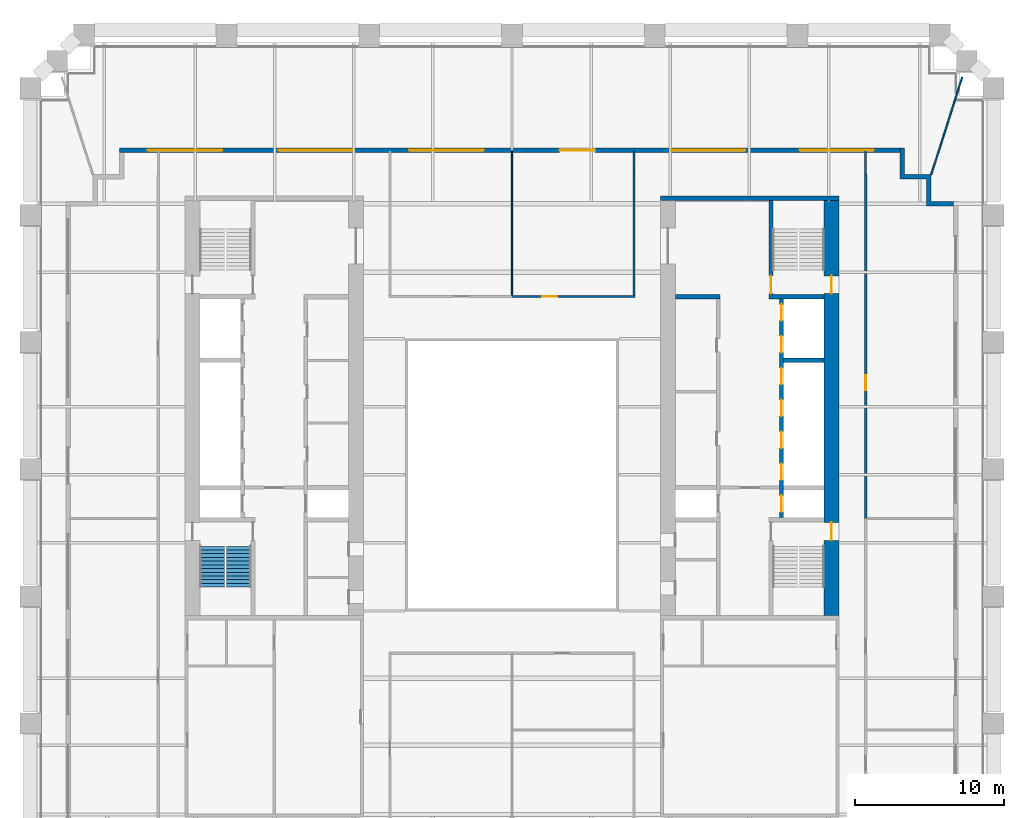
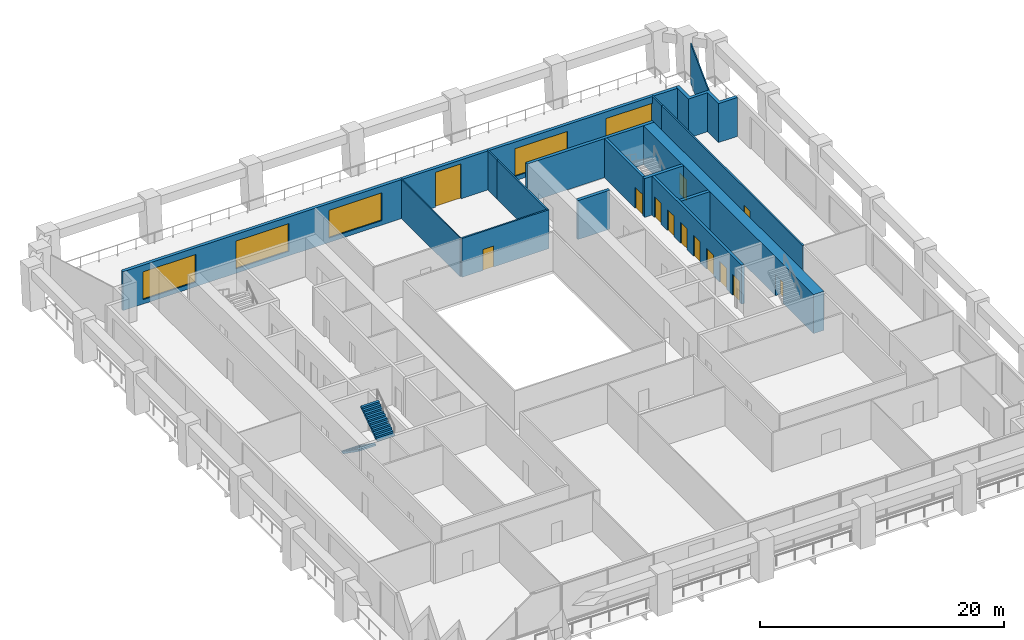
# One storey, part 9 of 11: 16 walls, 13 doors, 5 windows, 2 stair flights, 18 openings, 1 element without a shape of its own.
"""IFC4 building model written with IfcOpenShell, lengths in metres."""

from ifc_helpers import new_model, si_unit, direction, frame, frame_2d, origin, place, context, subcontext, project, spatial, polyline, rectangle, outline, extrude, material, layer, layer_set, type_object, element, fill, aggregate, save


model = new_model("IFC4")

# Units and contexts
model_context = context("Model", 3, precision=1e-05, world=origin(), true_north=direction((0.0, 1.0)))
body_context = subcontext(model_context, "Body", "Model", "MODEL_VIEW")
ifc_project = project(units=[si_unit("LENGTHUNIT", "METRE"), si_unit("AREAUNIT", "SQUARE_METRE"), si_unit("VOLUMEUNIT", "CUBIC_METRE"), si_unit("PLANEANGLEUNIT", "RADIAN"), si_unit("MASSUNIT", "GRAM", prefix="KILO")], contexts=[model_context])

# Site, building, storey
site_placement = place(None, origin())
site = spatial("IfcSite", under=ifc_project, at=site_placement, CompositionType="ELEMENT")
building_placement = place(site_placement, origin())
building = spatial("IfcBuilding", under=site, at=building_placement, Name="Ogive Exchange Tower", CompositionType="ELEMENT")
storey_placement = place(building_placement, frame((0.0, 0.0, 90.0)))
storey = spatial("IfcBuildingStorey", under=building, at=storey_placement, Name="L19", CompositionType="ELEMENT", Elevation=90.0)

# Wall
ifc_material_1 = material(Name="Gypsum board partition")
ifc_layer_1 = layer(ifc_material_1, 0.300048828125)
ifc_layer_set_1 = layer_set([ifc_layer_1], Name="Core room partition 300 gypsum")
wall_type_1 = type_object("IfcWallType", Name="Core room partition 300 gypsum", PredefinedType="PARTITIONING", material=ifc_layer_set_1)
wall_1_placement = place(storey_placement, frame((11.0, 19.0, 0.0), z_axis=(0.0, 0.0, 1.0), x_axis=(1.0, 0.0, 0.0)))
element("IfcWall", 1, at=wall_1_placement, inside=storey, type_object=wall_type_1, Name="E row B room end wall 7", PredefinedType="PARTITIONING", context=body_context, shape_type="SweptSolid", body=[
    extrude(rectangle(XDim=3.0, YDim=0.300048828125, at=frame_2d((1.5, 0.0))), origin(), (0.0, 0.0, 1.0), 3.89990234375),
])

# Wall, opening, door
ifc_material_2 = material(Name="Fire partition EI 60 150")
ifc_layer_2 = layer(ifc_material_2, 0.14990234375)
ifc_layer_set_2 = layer_set([ifc_layer_2], Name="Fire partition EI 60 150")
wall_type_2 = type_object("IfcWallType", Name="Fire partition EI 60 150", PredefinedType="PARTITIONING", material=ifc_layer_set_2)
wall_2_placement = place(storey_placement, frame((0.050048828125, 19.0, 0.0), z_axis=(0.0, 0.0, 1.0), x_axis=(1.0, 0.0, 0.0)))
wall_2 = element("IfcWall", 2, at=wall_2_placement, inside=storey, type_object=wall_type_2, Name="L19-PWL-019", PredefinedType="PARTITIONING", context=body_context, shape_type="SweptSolid", body=[
    extrude(rectangle(XDim=8.224853515625, YDim=0.14990234375, at=frame_2d((4.1123046875, 0.0))), origin(), (0.0, 0.0, 1.0), 3.89990234375),
])
opening_1_placement = place(wall_2_placement, frame((2.0, 0.0, 0.0)))
opening_1 = element("IfcOpeningElement", 3, at=opening_1_placement, cuts=wall_2, Name="Opening L19-I08", PredefinedType="OPENING", context=body_context, shape_type="SweptSolid", body=[
    extrude(rectangle(XDim=1.0, YDim=2.10009765625, at=frame_2d((0.5, 1.050048828125))), frame((0.0, 0.0849609375, 0.0), z_axis=(0.0, -1.0, 0.0), x_axis=(1.0, 0.0, 0.0)), (0.0, 0.0, 1.0), 0.169921875),
])
ifc_material_3 = material(Name="Fire door FD 30S 1000 x 2100")
door_type_1 = type_object("IfcDoorType", Name="Fire door FD 30S 1000 x 2100", OperationType="NOTDEFINED", PredefinedType="DOOR", material=ifc_material_3)
door_1_placement = place(opening_1_placement, origin())
door_1 = element("IfcDoor", 4, at=door_1_placement, inside=storey, type_object=door_type_1, Name="L19-IDR-008", ObjectType="DT3", OperationType="SINGLE_SWING_RIGHT", OverallHeight=2.10009765625, OverallWidth=1.0, PredefinedType="DOOR", context=body_context, shape_type="SweptSolid", body=[
    extrude(rectangle(XDim=1.0, YDim=2.10009765625, at=frame_2d((0.5, 1.050048828125))), frame((0.0, 0.02490234375, 0.0), z_axis=(0.0, -1.0, 0.0), x_axis=(1.0, 0.0, 0.0)), (0.0, 0.0, 1.0), 0.050048828125),
])
fill(opening_1, door_1)

# Walls
wall_3_placement = place(storey_placement, frame((8.199951171875, 19.074951171875, 0.0), z_axis=(0.0, 0.0, 1.0), x_axis=(0.0, 1.0, 0.0)))
element("IfcWall", 5, at=wall_3_placement, inside=storey, type_object=wall_type_2, Name="L19-PWL-025", PredefinedType="PARTITIONING", context=body_context, shape_type="SweptSolid", body=[
    extrude(rectangle(XDim=8.125, YDim=0.14990234375, at=frame_2d((4.0625, 0.0))), origin(), (0.0, 0.0, 1.0), 3.89990234375),
])
for number, where, z_axis, x_axis, name in (
    (6, (8.2099609375, 27.199951171875, 0.0), (0.0, 0.0, 1.0), (0.0, 1.0, 0.0), "L19-PWL-026"),
    (7, (23.7900390625, 28.800048828125, 0.0), (0.0, 0.0, 1.0), (0.0, -1.0, 0.0), "L19-PWL-029"),
):
    element("IfcWall", number, at=place(storey_placement, frame(where, z_axis=z_axis, x_axis=x_axis)), inside=storey, type_object=wall_type_2, Name=name, PredefinedType="PARTITIONING", context=body_context, shape_type="SweptSolid", body=[
        extrude(rectangle(XDim=1.60009765625, YDim=0.14990234375, at=frame_2d((0.800048828125, 0.0))), origin(), (0.0, 0.0, 1.0), 3.89990234375),
    ])

# Wall, opening, door
wall_4_placement = place(storey_placement, frame((23.800048828125, 27.199951171875, 0.0), z_axis=(0.0, 0.0, 1.0), x_axis=(0.0, -1.0, 0.0)))
wall_4 = element("IfcWall", 8, at=wall_4_placement, inside=storey, type_object=wall_type_2, Name="L19-PWL-037", PredefinedType="PARTITIONING", context=body_context, shape_type="SweptSolid", body=[
    extrude(rectangle(XDim=23.139892578125, YDim=0.14990234375, at=frame_2d((11.56982421875, 0.0))), origin(), (0.0, 0.0, 1.0), 3.89990234375),
])
opening_2_placement = place(wall_4_placement, frame((13.489990234375, 0.0, 0.0)))
opening_2 = element("IfcOpeningElement", 9, at=opening_2_placement, cuts=wall_4, Name="Opening L19-I10", PredefinedType="OPENING", context=body_context, shape_type="SweptSolid", body=[
    extrude(rectangle(XDim=1.0, YDim=2.10009765625, at=frame_2d((0.5, 1.050048828125))), frame((0.0, 0.0849609375, 0.0), z_axis=(0.0, -1.0, 0.0), x_axis=(1.0, 0.0, 0.0)), (0.0, 0.0, 1.0), 0.169921875),
])
door_2_placement = place(opening_2_placement, origin())
door_2 = element("IfcDoor", 10, at=door_2_placement, inside=storey, type_object=door_type_1, Name="L19-IDR-010", ObjectType="DT3", OperationType="SINGLE_SWING_RIGHT", OverallHeight=2.10009765625, OverallWidth=1.0, PredefinedType="DOOR", context=body_context, shape_type="SweptSolid", body=[
    extrude(rectangle(XDim=1.0, YDim=2.10009765625, at=frame_2d((0.5, 1.050048828125))), frame((0.0, 0.02490234375, 0.0), z_axis=(0.0, -1.0, 0.0), x_axis=(1.0, 0.0, 0.0)), (0.0, 0.0, 1.0), 0.050048828125),
])
fill(opening_2, door_2)

# Wall, openings, windows, door
ifc_material_4 = material(Name="Precast concrete C40/50", Category="concrete")
ifc_layer_3 = layer(ifc_material_4, 0.300048828125)
ifc_layer_set_3 = layer_set([ifc_layer_3], Name="Limestone-faced wall 300")
wall_type_3 = type_object("IfcWallType", Name="Limestone-faced wall 300", PredefinedType="STANDARD", material=ifc_layer_set_3)
wall_5_placement = place(storey_placement, frame((26.10009765625, 28.85009765625, 0.0), z_axis=(0.0, 0.0, 1.0), x_axis=(-1.0, 0.0, 0.0)))
wall_5 = element("IfcWall", 11, at=wall_5_placement, inside=storey, type_object=wall_type_3, Name="External wall N3", PredefinedType="STANDARD", context=body_context, shape_type="SweptSolid", body=[
    extrude(rectangle(XDim=52.5, YDim=0.300048828125, at=frame_2d((26.25, 0.0))), origin(), (0.0, 0.0, 1.0), 3.89990234375),
])
opening_3_placement = place(wall_5_placement, frame((1.75, 0.0, 0.449951171875)))
opening_3 = element("IfcOpeningElement", 12, at=opening_3_placement, cuts=wall_5, Name="Opening W2E", PredefinedType="OPENING", context=body_context, shape_type="SweptSolid", body=[
    extrude(rectangle(XDim=5.0, YDim=2.77490234375, at=frame_2d((2.5, 1.387451171875))), frame((0.0, 0.159912109375, 0.0), z_axis=(0.0, -1.0, 0.0), x_axis=(1.0, 0.0, 0.0)), (0.0, 0.0, 1.0), 0.320068359375),
])
opening_4_placement = place(wall_5_placement, frame((10.39990234375, 0.0, 0.449951171875)))
opening_4 = element("IfcOpeningElement", 13, at=opening_4_placement, cuts=wall_5, Name="Opening W2E", PredefinedType="OPENING", context=body_context, shape_type="SweptSolid", body=[
    extrude(rectangle(XDim=5.0, YDim=2.77490234375, at=frame_2d((2.5, 1.387451171875))), frame((0.0, 0.159912109375, 0.0), z_axis=(0.0, -1.0, 0.0), x_axis=(1.0, 0.0, 0.0)), (0.0, 0.0, 1.0), 0.320068359375),
])
opening_5_placement = place(wall_5_placement, frame((20.5, 0.0, 0.0)))
opening_5 = element("IfcOpeningElement", 14, at=opening_5_placement, cuts=wall_5, Name="Opening D1", PredefinedType="OPENING", context=body_context, shape_type="SweptSolid", body=[
    extrude(rectangle(XDim=2.39990234375, YDim=3.5, at=frame_2d((1.199951171875, 1.75))), frame((0.0, 0.159912109375, 0.0), z_axis=(0.0, -1.0, 0.0), x_axis=(1.0, 0.0, 0.0)), (0.0, 0.0, 1.0), 0.320068359375),
])
opening_6_placement = place(wall_5_placement, frame((28.0, 0.0, 0.449951171875)))
opening_6 = element("IfcOpeningElement", 15, at=opening_6_placement, cuts=wall_5, Name="Opening W2E", PredefinedType="OPENING", context=body_context, shape_type="SweptSolid", body=[
    extrude(rectangle(XDim=5.0, YDim=2.77490234375, at=frame_2d((2.5, 1.387451171875))), frame((0.0, 0.159912109375, 0.0), z_axis=(0.0, -1.0, 0.0), x_axis=(1.0, 0.0, 0.0)), (0.0, 0.0, 1.0), 0.320068359375),
])
opening_7_placement = place(wall_5_placement, frame((36.800048828125, 0.0, 0.449951171875)))
opening_7 = element("IfcOpeningElement", 16, at=opening_7_placement, cuts=wall_5, Name="Opening W2E", PredefinedType="OPENING", context=body_context, shape_type="SweptSolid", body=[
    extrude(rectangle(XDim=5.0, YDim=2.77490234375, at=frame_2d((2.5, 1.387451171875))), frame((0.0, 0.159912109375, 0.0), z_axis=(0.0, -1.0, 0.0), x_axis=(1.0, 0.0, 0.0)), (0.0, 0.0, 1.0), 0.320068359375),
])
opening_8_placement = place(wall_5_placement, frame((45.60009765625, 0.0, 0.449951171875)))
opening_8 = element("IfcOpeningElement", 17, at=opening_8_placement, cuts=wall_5, Name="Opening W2E", PredefinedType="OPENING", context=body_context, shape_type="SweptSolid", body=[
    extrude(rectangle(XDim=5.0, YDim=2.77490234375, at=frame_2d((2.5, 1.387451171875))), frame((0.0, 0.159912109375, 0.0), z_axis=(0.0, -1.0, 0.0), x_axis=(1.0, 0.0, 0.0)), (0.0, 0.0, 1.0), 0.320068359375),
])
ifc_material_5 = material(Name="Clear glass in bronze frame", Category="glass")
window_type = type_object("IfcWindowType", Name="Executive lancet window 5000 x 2775", PartitioningType="DOUBLE_PANEL_VERTICAL", PredefinedType="WINDOW", material=ifc_material_5)
window_1_placement = place(opening_3_placement, origin())
window_1 = element("IfcWindow", 18, at=window_1_placement, inside=storey, type_object=window_type, Name="Window N00", OverallHeight=2.77490234375, OverallWidth=5.0, PartitioningType="DOUBLE_PANEL_VERTICAL", PredefinedType="WINDOW", context=body_context, shape_type="SweptSolid", body=[
    extrude(rectangle(XDim=5.0, YDim=2.77490234375, at=frame_2d((2.5, 1.387451171875))), frame((0.0, 0.030029296875, 0.0), z_axis=(0.0, -1.0, 0.0), x_axis=(1.0, 0.0, 0.0)), (0.0, 0.0, 1.0), 0.06005859375),
])
fill(opening_3, window_1)
window_2_placement = place(opening_4_placement, origin())
window_2 = element("IfcWindow", 19, at=window_2_placement, inside=storey, type_object=window_type, Name="Window N01", OverallHeight=2.77490234375, OverallWidth=5.0, PartitioningType="DOUBLE_PANEL_VERTICAL", PredefinedType="WINDOW", context=body_context, shape_type="SweptSolid", body=[
    extrude(rectangle(XDim=5.0, YDim=2.77490234375, at=frame_2d((2.5, 1.387451171875))), frame((0.0, 0.030029296875, 0.0), z_axis=(0.0, -1.0, 0.0), x_axis=(1.0, 0.0, 0.0)), (0.0, 0.0, 1.0), 0.06005859375),
])
fill(opening_4, window_2)
window_3_placement = place(opening_6_placement, origin())
window_3 = element("IfcWindow", 20, at=window_3_placement, inside=storey, type_object=window_type, Name="Window N03", OverallHeight=2.77490234375, OverallWidth=5.0, PartitioningType="DOUBLE_PANEL_VERTICAL", PredefinedType="WINDOW", context=body_context, shape_type="SweptSolid", body=[
    extrude(rectangle(XDim=5.0, YDim=2.77490234375, at=frame_2d((2.5, 1.387451171875))), frame((0.0, 0.030029296875, 0.0), z_axis=(0.0, -1.0, 0.0), x_axis=(1.0, 0.0, 0.0)), (0.0, 0.0, 1.0), 0.06005859375),
])
fill(opening_6, window_3)
window_4_placement = place(opening_7_placement, origin())
window_4 = element("IfcWindow", 21, at=window_4_placement, inside=storey, type_object=window_type, Name="Window N04", OverallHeight=2.77490234375, OverallWidth=5.0, PartitioningType="DOUBLE_PANEL_VERTICAL", PredefinedType="WINDOW", context=body_context, shape_type="SweptSolid", body=[
    extrude(rectangle(XDim=5.0, YDim=2.77490234375, at=frame_2d((2.5, 1.387451171875))), frame((0.0, 0.030029296875, 0.0), z_axis=(0.0, -1.0, 0.0), x_axis=(1.0, 0.0, 0.0)), (0.0, 0.0, 1.0), 0.06005859375),
])
fill(opening_7, window_4)
window_5_placement = place(opening_8_placement, origin())
window_5 = element("IfcWindow", 22, at=window_5_placement, inside=storey, type_object=window_type, Name="Window N05", OverallHeight=2.77490234375, OverallWidth=5.0, PartitioningType="DOUBLE_PANEL_VERTICAL", PredefinedType="WINDOW", context=body_context, shape_type="SweptSolid", body=[
    extrude(rectangle(XDim=5.0, YDim=2.77490234375, at=frame_2d((2.5, 1.387451171875))), frame((0.0, 0.030029296875, 0.0), z_axis=(0.0, -1.0, 0.0), x_axis=(1.0, 0.0, 0.0)), (0.0, 0.0, 1.0), 0.06005859375),
])
fill(opening_8, window_5)
door_type_2 = type_object("IfcDoorType", Name="Sliding loggia door 2400 x 3500", OperationType="DOUBLE_DOOR_SLIDING", PredefinedType="DOOR", material=ifc_material_5)
door_3_placement = place(opening_5_placement, origin())
door_3 = element("IfcDoor", 23, at=door_3_placement, inside=storey, type_object=door_type_2, Name="Loggia door N02", OperationType="DOUBLE_DOOR_SLIDING", OverallHeight=3.5, OverallWidth=2.39990234375, PredefinedType="DOOR", context=body_context, shape_type="SweptSolid", body=[
    extrude(rectangle(XDim=2.39990234375, YDim=3.5, at=frame_2d((1.199951171875, 1.75))), frame((0.0, 0.02490234375, 0.0), z_axis=(0.0, -1.0, 0.0), x_axis=(1.0, 0.0, 0.0)), (0.0, 0.0, 1.0), 0.050048828125),
])
fill(opening_5, door_3)

# Walls
wall_6_placement = place(storey_placement, origin())
element("IfcWall", 24, at=wall_6_placement, inside=storey, type_object=wall_type_3, Name="External corner wall C2", PredefinedType="STANDARD", context=body_context, shape_type="SweptSolid", body=[
    extrude(outline(polyline([(27.89990234375, 26.89990234375), (26.10009765625, 26.89990234375), (26.10009765625, 29.0), (26.39990234375, 29.0), (26.39990234375, 27.199951171875), (28.199951171875, 27.199951171875), (28.199951171875, 25.39990234375), (29.699951171875, 25.39990234375), (29.699951171875, 25.10009765625), (27.89990234375, 25.10009765625), (27.89990234375, 26.89990234375)])), origin(), (0.0, 0.0, 1.0), 3.89990234375),
])
ifc_material_6 = material(Name="Laminated safety glass in steel frame", Category="steel")
ifc_layer_4 = layer(ifc_material_6, 0.10009765625)
ifc_layer_set_4 = layer_set([ifc_layer_4], Name="Loggia end screen 100")
wall_type_4 = type_object("IfcWallType", Name="Loggia end screen 100", PredefinedType="STANDARD", material=ifc_layer_set_4)
wall_7_placement = place(storey_placement, frame((28.199951171875, 27.199951171875, -0.050048828125), z_axis=(0.0, 0.0, 1.0), x_axis=(0.303785653439, 0.952740403659, 0.0)))
element("IfcWall", 25, at=wall_7_placement, inside=storey, type_object=wall_type_4, Name="Loggia end screen C2", PredefinedType="STANDARD", context=body_context, shape_type="SweptSolid", body=[
    extrude(rectangle(XDim=6.890625, YDim=0.10009765625, at=frame_2d((3.4453125, 0.0))), origin(), (0.0, 0.0, 1.0), 3.949951171875),
])
ifc_material_7 = material(Name="Partition 100 gypsum")
ifc_layer_5 = layer(ifc_material_7, 0.10009765625)
ifc_layer_set_5 = layer_set([ifc_layer_5], Name="Partition 100 gypsum")
wall_type_5 = type_object("IfcWallType", Name="Partition 100 gypsum", PredefinedType="PARTITIONING", material=ifc_layer_set_5)
wall_8_placement = place(storey_placement, frame((0.0, 28.800048828125, 0.0), z_axis=(0.0, 0.0, 1.0), x_axis=(0.0, -1.0, 0.0)))
element("IfcWall", 26, at=wall_8_placement, inside=storey, type_object=wall_type_5, Name="L19-PWL-020", PredefinedType="PARTITIONING", context=body_context, shape_type="SweptSolid", body=[
    extrude(rectangle(XDim=9.72509765625, YDim=0.10009765625, at=frame_2d((4.862548828125, 0.0))), origin(), (0.0, 0.0, 1.0), 3.89990234375),
])

# Wall, openings, doors
ifc_material_8 = material(Name="Concrete C70/85", Category="concrete")
ifc_layer_6 = layer(ifc_material_8, 1.0)
ifc_layer_set_6 = layer_set([ifc_layer_6], Name="RC core wall 1000 C70/85")
wall_type_6 = type_object("IfcWallType", Name="RC core wall 1000 C70/85", PredefinedType="SHEAR", material=ifc_layer_set_6)
wall_9_placement = place(storey_placement, frame((21.5, -2.449951171875, 0.0), z_axis=(0.0, 0.0, 1.0), x_axis=(0.0, 1.0, 0.0)))
wall_9 = element("IfcWall", 27, at=wall_9_placement, inside=storey, type_object=wall_type_6, Name="E outer wall", PredefinedType="SHEAR", context=body_context, shape_type="SweptSolid", body=[
    extrude(rectangle(XDim=27.89990234375, YDim=1.0, at=frame_2d((13.949951171875, 0.0))), origin(), (0.0, 0.0, 1.0), 3.89990234375),
])
opening_9_placement = place(wall_9_placement, frame((5.050048828125, 0.0, 0.0)))
opening_9 = element("IfcOpeningElement", 28, at=opening_9_placement, cuts=wall_9, Name="Opening L19-C37", PredefinedType="OPENING", context=body_context, shape_type="SweptSolid", body=[
    extrude(rectangle(XDim=1.199951171875, YDim=2.10009765625, at=frame_2d((0.60009765625, 1.050048828125))), frame((0.0, 0.510009765625, 0.0), z_axis=(0.0, -1.0, 0.0), x_axis=(1.0, 0.0, 0.0)), (0.0, 0.0, 1.0), 1.02001953125),
])
opening_10_placement = place(wall_9_placement, frame((21.64990234375, 0.0, 0.0)))
opening_10 = element("IfcOpeningElement", 29, at=opening_10_placement, cuts=wall_9, Name="Opening L19-C39", PredefinedType="OPENING", context=body_context, shape_type="SweptSolid", body=[
    extrude(rectangle(XDim=1.199951171875, YDim=2.10009765625, at=frame_2d((0.60009765625, 1.050048828125))), frame((0.0, 0.510009765625, 0.0), z_axis=(0.0, -1.0, 0.0), x_axis=(1.0, 0.0, 0.0)), (0.0, 0.0, 1.0), 1.02001953125),
])
ifc_material_9 = material(Name="Steel fire door", Category="steel")
door_type_3 = type_object("IfcDoorType", Name="Stair door FD90 1200 x 2100", OperationType="NOTDEFINED", PredefinedType="DOOR", material=ifc_material_9)
door_4_placement = place(opening_9_placement, origin())
door_4 = element("IfcDoor", 30, at=door_4_placement, inside=storey, type_object=door_type_3, Name="Stair door", ObjectType="CD5", OperationType="SINGLE_SWING_LEFT", OverallHeight=2.10009765625, OverallWidth=1.199951171875, PredefinedType="DOOR", context=body_context, shape_type="SweptSolid", body=[
    extrude(rectangle(XDim=1.199951171875, YDim=2.10009765625, at=frame_2d((0.60009765625, 1.050048828125))), frame((0.0, 0.02490234375, 0.0), z_axis=(0.0, -1.0, 0.0), x_axis=(1.0, 0.0, 0.0)), (0.0, 0.0, 1.0), 0.050048828125),
])
fill(opening_9, door_4)
door_5_placement = place(opening_10_placement, origin())
door_5 = element("IfcDoor", 31, at=door_5_placement, inside=storey, type_object=door_type_3, Name="Stair door", ObjectType="CD5", OperationType="SINGLE_SWING_RIGHT", OverallHeight=2.10009765625, OverallWidth=1.199951171875, PredefinedType="DOOR", context=body_context, shape_type="SweptSolid", body=[
    extrude(rectangle(XDim=1.199951171875, YDim=2.10009765625, at=frame_2d((0.60009765625, 1.050048828125))), frame((0.0, 0.02490234375, 0.0), z_axis=(0.0, -1.0, 0.0), x_axis=(1.0, 0.0, 0.0)), (0.0, 0.0, 1.0), 0.050048828125),
])
fill(opening_10, door_5)

# Wall, opening, door
ifc_layer_7 = layer(ifc_material_8, 0.25)
ifc_layer_set_7 = layer_set([ifc_layer_7], Name="RC core wall 250 C70/85")
wall_type_7 = type_object("IfcWallType", Name="RC core wall 250 C70/85", PredefinedType="SHEAR", material=ifc_layer_set_7)
wall_10_placement = place(storey_placement, frame((17.425048828125, 19.14990234375, 0.0), z_axis=(0.0, 0.0, 1.0), x_axis=(0.0, 1.0, 0.0)))
wall_10 = element("IfcWall", 32, at=wall_10_placement, inside=storey, type_object=wall_type_7, Name="E stair N front wall", PredefinedType="SHEAR", context=body_context, shape_type="SweptSolid", body=[
    extrude(rectangle(XDim=6.300048828125, YDim=0.25, at=frame_2d((3.14990234375, 0.0))), origin(), (0.0, 0.0, 1.0), 3.89990234375),
])
opening_11_placement = place(wall_10_placement, frame((0.050048828125, 0.0, 0.0)))
opening_11 = element("IfcOpeningElement", 33, at=opening_11_placement, cuts=wall_10, Name="Opening L19-C38", PredefinedType="OPENING", context=body_context, shape_type="SweptSolid", body=[
    extrude(rectangle(XDim=1.199951171875, YDim=2.10009765625, at=frame_2d((0.60009765625, 1.050048828125))), frame((0.0, 0.135009765625, 0.0), z_axis=(0.0, -1.0, 0.0), x_axis=(1.0, 0.0, 0.0)), (0.0, 0.0, 1.0), 0.27001953125),
])
door_6_placement = place(opening_11_placement, frame((1.199951171875, 0.0, 0.0), z_axis=(0.0, 0.0, 1.0), x_axis=(-1.0, 0.0, 0.0)))
door_6 = element("IfcDoor", 34, at=door_6_placement, inside=storey, type_object=door_type_3, Name="Stair door", ObjectType="CD5", OperationType="SINGLE_SWING_LEFT", OverallHeight=2.10009765625, OverallWidth=1.199951171875, PredefinedType="DOOR", context=body_context, shape_type="SweptSolid", body=[
    extrude(rectangle(XDim=1.199951171875, YDim=2.10009765625, at=frame_2d((0.60009765625, 1.050048828125))), frame((0.0, 0.02490234375, 0.0), z_axis=(0.0, -1.0, 0.0), x_axis=(1.0, 0.0, 0.0)), (0.0, 0.0, 1.0), 0.050048828125),
])
fill(opening_11, door_6)

# Wall, openings, doors
wall_11_placement = place(storey_placement, frame((18.125, 4.14990234375, 0.0), z_axis=(0.0, 0.0, 1.0), x_axis=(0.0, 1.0, 0.0)))
wall_11 = element("IfcWall", 35, at=wall_11_placement, inside=storey, type_object=wall_type_7, Name="E row A front wall", PredefinedType="SHEAR", context=body_context, shape_type="SweptSolid", body=[
    extrude(rectangle(XDim=14.7001953125, YDim=0.25, at=frame_2d((7.35009765625, 0.0))), origin(), (0.0, 0.0, 1.0), 3.89990234375),
])
opening_12_placement = place(wall_11_placement, frame((0.371337890625, 0.0, 0.0)))
opening_12 = element("IfcOpeningElement", 36, at=opening_12_placement, cuts=wall_11, Name="Opening L19-C24", PredefinedType="OPENING", context=body_context, shape_type="SweptSolid", body=[
    extrude(rectangle(XDim=1.10009765625, YDim=2.10009765625, at=frame_2d((0.550048828125, 1.050048828125))), frame((0.0, 0.135009765625, 0.0), z_axis=(0.0, -1.0, 0.0), x_axis=(1.0, 0.0, 0.0)), (0.0, 0.0, 1.0), 0.27001953125),
])
opening_13_placement = place(wall_11_placement, frame((2.514404296875, 0.0, 0.0)))
opening_13 = element("IfcOpeningElement", 37, at=opening_13_placement, cuts=wall_11, Name="Opening L19-C25", PredefinedType="OPENING", context=body_context, shape_type="SweptSolid", body=[
    extrude(rectangle(XDim=1.10009765625, YDim=2.10009765625, at=frame_2d((0.550048828125, 1.050048828125))), frame((0.0, 0.135009765625, 0.0), z_axis=(0.0, -1.0, 0.0), x_axis=(1.0, 0.0, 0.0)), (0.0, 0.0, 1.0), 0.27001953125),
])
opening_14_placement = place(wall_11_placement, frame((4.656982421875, 0.0, 0.0)))
opening_14 = element("IfcOpeningElement", 38, at=opening_14_placement, cuts=wall_11, Name="Opening L19-C26", PredefinedType="OPENING", context=body_context, shape_type="SweptSolid", body=[
    extrude(rectangle(XDim=1.10009765625, YDim=2.10009765625, at=frame_2d((0.550048828125, 1.050048828125))), frame((0.0, 0.135009765625, 0.0), z_axis=(0.0, -1.0, 0.0), x_axis=(1.0, 0.0, 0.0)), (0.0, 0.0, 1.0), 0.27001953125),
])
opening_15_placement = place(wall_11_placement, frame((6.800048828125, 0.0, 0.0)))
opening_15 = element("IfcOpeningElement", 39, at=opening_15_placement, cuts=wall_11, Name="Opening L19-C27", PredefinedType="OPENING", context=body_context, shape_type="SweptSolid", body=[
    extrude(rectangle(XDim=1.10009765625, YDim=2.10009765625, at=frame_2d((0.550048828125, 1.050048828125))), frame((0.0, 0.135009765625, 0.0), z_axis=(0.0, -1.0, 0.0), x_axis=(1.0, 0.0, 0.0)), (0.0, 0.0, 1.0), 0.27001953125),
])
opening_16_placement = place(wall_11_placement, frame((8.94287109375, 0.0, 0.0)))
opening_16 = element("IfcOpeningElement", 40, at=opening_16_placement, cuts=wall_11, Name="Opening L19-C28", PredefinedType="OPENING", context=body_context, shape_type="SweptSolid", body=[
    extrude(rectangle(XDim=1.10009765625, YDim=2.10009765625, at=frame_2d((0.550048828125, 1.050048828125))), frame((0.0, 0.135009765625, 0.0), z_axis=(0.0, -1.0, 0.0), x_axis=(1.0, 0.0, 0.0)), (0.0, 0.0, 1.0), 0.27001953125),
])
opening_17_placement = place(wall_11_placement, frame((11.085693359375, 0.0, 0.0)))
opening_17 = element("IfcOpeningElement", 41, at=opening_17_placement, cuts=wall_11, Name="Opening L19-C29", PredefinedType="OPENING", context=body_context, shape_type="SweptSolid", body=[
    extrude(rectangle(XDim=1.10009765625, YDim=2.10009765625, at=frame_2d((0.550048828125, 1.050048828125))), frame((0.0, 0.135009765625, 0.0), z_axis=(0.0, -1.0, 0.0), x_axis=(1.0, 0.0, 0.0)), (0.0, 0.0, 1.0), 0.27001953125),
])
opening_18_placement = place(wall_11_placement, frame((13.228515625, 0.0, 0.0)))
opening_18 = element("IfcOpeningElement", 42, at=opening_18_placement, cuts=wall_11, Name="Opening L19-C30", PredefinedType="OPENING", context=body_context, shape_type="SweptSolid", body=[
    extrude(rectangle(XDim=1.10009765625, YDim=2.10009765625, at=frame_2d((0.550048828125, 1.050048828125))), frame((0.0, 0.135009765625, 0.0), z_axis=(0.0, -1.0, 0.0), x_axis=(1.0, 0.0, 0.0)), (0.0, 0.0, 1.0), 0.27001953125),
])
ifc_material_10 = material(Name="Stainless steel", Category="steel")
door_type_4 = type_object("IfcDoorType", Name="Lift landing door FD90 1100 x 2100", OperationType="SLIDING_TO_LEFT", PredefinedType="DOOR", material=ifc_material_10)
door_7_placement = place(opening_12_placement, origin())
door_7 = element("IfcDoor", 43, at=door_7_placement, inside=storey, type_object=door_type_4, Name="Lift landing door FF2", ObjectType="LD", OperationType="SLIDING_TO_LEFT", OverallHeight=2.10009765625, OverallWidth=1.10009765625, PredefinedType="DOOR", context=body_context, shape_type="SweptSolid", body=[
    extrude(rectangle(XDim=1.10009765625, YDim=2.10009765625, at=frame_2d((0.550048828125, 1.050048828125))), frame((0.0, 0.02490234375, 0.0), z_axis=(0.0, -1.0, 0.0), x_axis=(1.0, 0.0, 0.0)), (0.0, 0.0, 1.0), 0.050048828125),
])
fill(opening_12, door_7)
door_8_placement = place(opening_13_placement, origin())
door_8 = element("IfcDoor", 44, at=door_8_placement, inside=storey, type_object=door_type_4, Name="Lift landing door E-L1", ObjectType="LD", OperationType="SLIDING_TO_LEFT", OverallHeight=2.10009765625, OverallWidth=1.10009765625, PredefinedType="DOOR", context=body_context, shape_type="SweptSolid", body=[
    extrude(rectangle(XDim=1.10009765625, YDim=2.10009765625, at=frame_2d((0.550048828125, 1.050048828125))), frame((0.0, 0.02490234375, 0.0), z_axis=(0.0, -1.0, 0.0), x_axis=(1.0, 0.0, 0.0)), (0.0, 0.0, 1.0), 0.050048828125),
])
fill(opening_13, door_8)
door_9_placement = place(opening_14_placement, origin())
door_9 = element("IfcDoor", 45, at=door_9_placement, inside=storey, type_object=door_type_4, Name="Lift landing door E-L2", ObjectType="LD", OperationType="SLIDING_TO_LEFT", OverallHeight=2.10009765625, OverallWidth=1.10009765625, PredefinedType="DOOR", context=body_context, shape_type="SweptSolid", body=[
    extrude(rectangle(XDim=1.10009765625, YDim=2.10009765625, at=frame_2d((0.550048828125, 1.050048828125))), frame((0.0, 0.02490234375, 0.0), z_axis=(0.0, -1.0, 0.0), x_axis=(1.0, 0.0, 0.0)), (0.0, 0.0, 1.0), 0.050048828125),
])
fill(opening_14, door_9)
door_10_placement = place(opening_15_placement, origin())
door_10 = element("IfcDoor", 46, at=door_10_placement, inside=storey, type_object=door_type_4, Name="Lift landing door E-L3", ObjectType="LD", OperationType="SLIDING_TO_LEFT", OverallHeight=2.10009765625, OverallWidth=1.10009765625, PredefinedType="DOOR", context=body_context, shape_type="SweptSolid", body=[
    extrude(rectangle(XDim=1.10009765625, YDim=2.10009765625, at=frame_2d((0.550048828125, 1.050048828125))), frame((0.0, 0.02490234375, 0.0), z_axis=(0.0, -1.0, 0.0), x_axis=(1.0, 0.0, 0.0)), (0.0, 0.0, 1.0), 0.050048828125),
])
fill(opening_15, door_10)
door_11_placement = place(opening_16_placement, origin())
door_11 = element("IfcDoor", 47, at=door_11_placement, inside=storey, type_object=door_type_4, Name="Lift landing door E-L4", ObjectType="LD", OperationType="SLIDING_TO_LEFT", OverallHeight=2.10009765625, OverallWidth=1.10009765625, PredefinedType="DOOR", context=body_context, shape_type="SweptSolid", body=[
    extrude(rectangle(XDim=1.10009765625, YDim=2.10009765625, at=frame_2d((0.550048828125, 1.050048828125))), frame((0.0, 0.02490234375, 0.0), z_axis=(0.0, -1.0, 0.0), x_axis=(1.0, 0.0, 0.0)), (0.0, 0.0, 1.0), 0.050048828125),
])
fill(opening_16, door_11)
door_12_placement = place(opening_17_placement, origin())
door_12 = element("IfcDoor", 48, at=door_12_placement, inside=storey, type_object=door_type_4, Name="Lift landing door E-SH1", ObjectType="LD", OperationType="SLIDING_TO_LEFT", OverallHeight=2.10009765625, OverallWidth=1.10009765625, PredefinedType="DOOR", context=body_context, shape_type="SweptSolid", body=[
    extrude(rectangle(XDim=1.10009765625, YDim=2.10009765625, at=frame_2d((0.550048828125, 1.050048828125))), frame((0.0, 0.02490234375, 0.0), z_axis=(0.0, -1.0, 0.0), x_axis=(1.0, 0.0, 0.0)), (0.0, 0.0, 1.0), 0.050048828125),
])
fill(opening_17, door_12)
door_13_placement = place(opening_18_placement, origin())
door_13 = element("IfcDoor", 49, at=door_13_placement, inside=storey, type_object=door_type_4, Name="Lift landing door E-SH2", ObjectType="LD", OperationType="SLIDING_TO_LEFT", OverallHeight=2.10009765625, OverallWidth=1.10009765625, PredefinedType="DOOR", context=body_context, shape_type="SweptSolid", body=[
    extrude(rectangle(XDim=1.10009765625, YDim=2.10009765625, at=frame_2d((0.550048828125, 1.050048828125))), frame((0.0, 0.02490234375, 0.0), z_axis=(0.0, -1.0, 0.0), x_axis=(1.0, 0.0, 0.0)), (0.0, 0.0, 1.0), 0.050048828125),
])
fill(opening_18, door_13)

# Walls
ifc_layer_8 = layer(ifc_material_8, 0.300048828125)
ifc_layer_set_8 = layer_set([ifc_layer_8], Name="RC core wall 300 C70/85")
wall_type_8 = type_object("IfcWallType", Name="RC core wall 300 C70/85", PredefinedType="SHEAR", material=ifc_layer_set_8)
wall_12_placement = place(storey_placement, frame((10.0, 25.60009765625, 0.0), z_axis=(0.0, 0.0, 1.0), x_axis=(1.0, 0.0, 0.0)))
element("IfcWall", 50, at=wall_12_placement, inside=storey, type_object=wall_type_8, Name="E north end wall", PredefinedType="SHEAR", context=body_context, shape_type="SweptSolid", body=[
    extrude(rectangle(XDim=12.0, YDim=0.300048828125, at=frame_2d((6.0, 0.0))), origin(), (0.0, 0.0, 1.0), 3.89990234375),
])
wall_13_placement = place(storey_placement, frame((17.300048828125, 19.0, 0.0), z_axis=(0.0, 0.0, 1.0), x_axis=(1.0, 0.0, 0.0)))
element("IfcWall", 51, at=wall_13_placement, inside=storey, type_object=wall_type_8, Name="E stair N south wall", PredefinedType="SHEAR", context=body_context, shape_type="SweptSolid", body=[
    extrude(rectangle(XDim=3.699951171875, YDim=0.300048828125, at=frame_2d((1.85009765625, 0.0))), origin(), (0.0, 0.0, 1.0), 3.89990234375),
])
wall_14_placement = place(storey_placement, frame((18.25, 14.71435546875, 0.0), z_axis=(0.0, 0.0, 1.0), x_axis=(1.0, 0.0, 0.0)))
element("IfcWall", 52, at=wall_14_placement, inside=storey, type_object=wall_type_8, Name="E row A divider 5", PredefinedType="SHEAR", context=body_context, shape_type="SweptSolid", body=[
    extrude(rectangle(XDim=2.75, YDim=0.300048828125, at=frame_2d((1.375, 0.0))), origin(), (0.0, 0.0, 1.0), 3.89990234375),
])

# Stair, stair flights
ifc_material_11 = material(Name="Concrete C40/50", Category="concrete")
stair_type = type_object("IfcStairType", Name="Exit stair 1650 wide", PredefinedType="HALF_TURN_STAIR", material=ifc_material_11)
stair_placement = place(storey_placement, origin())
stair = element("IfcStair", 53, at=stair_placement, inside=storey, type_object=stair_type, Name="L19 exit stair ST1", PredefinedType="HALF_TURN_STAIR")
stair_flight_type = type_object("IfcStairFlightType", Name="Stair flight 1650 wide", PredefinedType="STRAIGHT", material=ifc_material_11)
stair_flight_1_placement = place(storey_placement, frame((-20.175048828125, 2.199951171875, 0.0), z_axis=(0.0, 0.0, 1.0), x_axis=(0.0, -1.0, 0.0)))
stair_flight_1 = element("IfcStairFlight", 54, at=stair_flight_1_placement, type_object=stair_flight_type, Name="ST1 flight 1", NumberOfRisers=12, NumberOfTreads=11, PredefinedType="STRAIGHT", RiserHeight=0.175, TreadLength=0.25, context=body_context, shape_type="SweptSolid", body=[
    extrude(outline(polyline([(0.0, 0.0), (0.0, 0.175048828125), (0.25, 0.175048828125), (0.25, 0.35009765625), (0.5, 0.35009765625), (0.5, 0.52490234375), (0.75, 0.52490234375), (0.75, 0.699951171875), (1.0, 0.699951171875), (1.0, 0.875), (1.25, 0.875), (1.25, 1.050048828125), (1.5, 1.050048828125), (1.5, 1.22509765625), (1.75, 1.22509765625), (1.75, 1.39990234375), (2.0, 1.39990234375), (2.0, 1.574951171875), (2.25, 1.574951171875), (2.25, 1.75), (2.5, 1.75), (2.5, 1.925048828125), (2.75, 1.925048828125), (2.75, 2.10009765625), (2.75, 1.741943359375), (0.261474609375, 0.0), (0.0, 0.0)])), frame((0.0, 0.824951171875, 0.0), z_axis=(0.0, -1.0, 0.0), x_axis=(1.0, 0.0, 0.0)), (0.0, 0.0, 1.0), 1.64990234375),
])
stair_flight_2_placement = place(storey_placement, frame((-18.375, -0.550048828125, 2.10009765625), z_axis=(0.0, 0.0, 1.0), x_axis=(0.0, 1.0, 0.0)))
stair_flight_2 = element("IfcStairFlight", 55, at=stair_flight_2_placement, type_object=stair_flight_type, Name="ST1 flight 2", NumberOfRisers=12, NumberOfTreads=11, PredefinedType="STRAIGHT", RiserHeight=0.175, TreadLength=0.25, context=body_context, shape_type="SweptSolid", body=[
    extrude(outline(polyline([(0.0, 0.0), (0.0, 0.175048828125), (0.25, 0.175048828125), (0.25, 0.35009765625), (0.5, 0.35009765625), (0.5, 0.52490234375), (0.75, 0.52490234375), (0.75, 0.699951171875), (1.0, 0.699951171875), (1.0, 0.875), (1.25, 0.875), (1.25, 1.050048828125), (1.5, 1.050048828125), (1.5, 1.22509765625), (1.75, 1.22509765625), (1.75, 1.39990234375), (2.0, 1.39990234375), (2.0, 1.574951171875), (2.25, 1.574951171875), (2.25, 1.75), (2.5, 1.75), (2.5, 1.925048828125), (2.75, 1.925048828125), (2.75, 2.10009765625), (2.75, 1.741943359375), (0.261474609375, 0.0), (0.0, 0.0)])), frame((0.0, 0.824951171875, 0.0), z_axis=(0.0, -1.0, 0.0), x_axis=(1.0, 0.0, 0.0)), (0.0, 0.0, 1.0), 1.64990234375),
])
aggregate(stair, [stair_flight_1, stair_flight_2])

save(model, "model.ifc")
